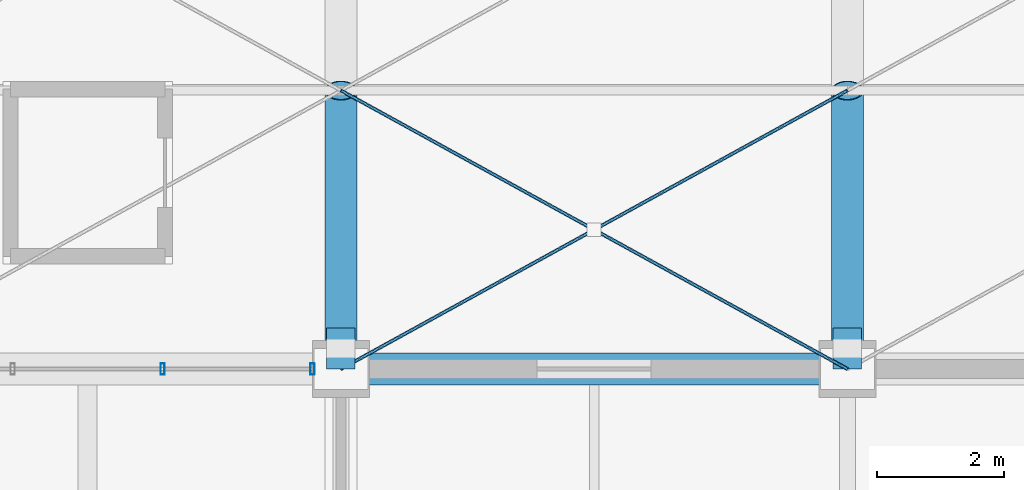
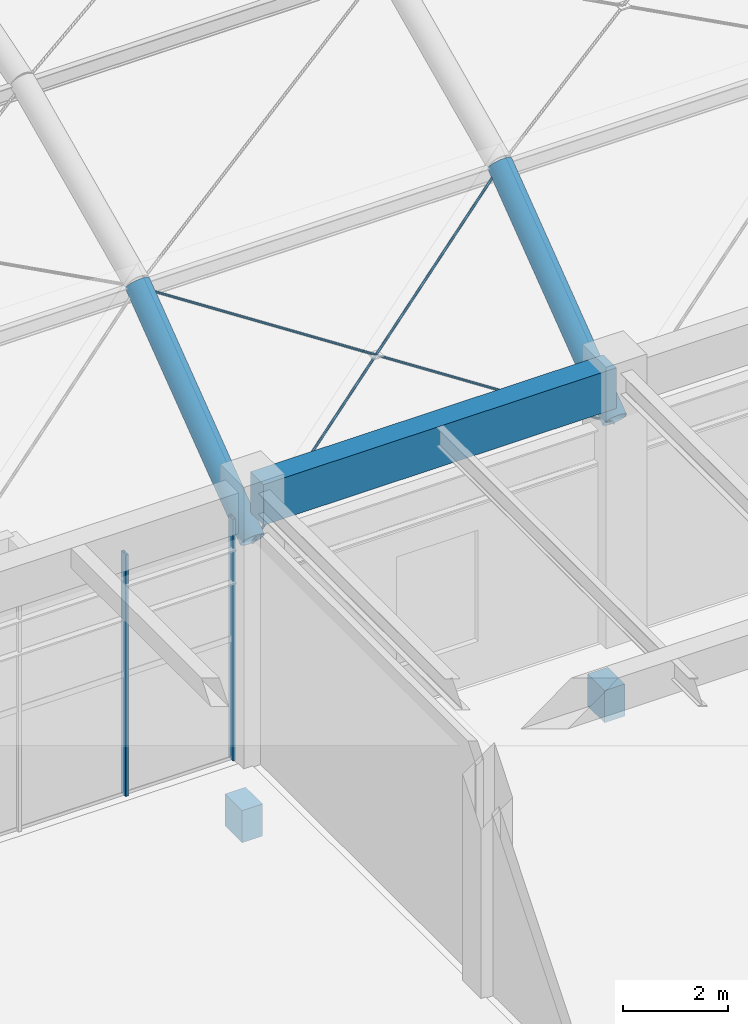
# One storey, part 42 of 163: 5 beams, 5 members, 1 element without a shape of its own.
"""IFC4 building model written with IfcOpenShell, lengths in metres."""

from ifc_helpers import new_model, si_unit, direction, frame, origin, origin_2d, place, context, subcontext, project, spatial, rectangle, hollow_rectangle, circle, hollow_circle, extrude, material, material_profile, profile_set, type_object, element, aggregate, save


model = new_model("IFC4")

# Units and contexts
model_context = context("Model", 3, precision=1e-05, world=origin(), true_north=direction((0.0, 1.0)))
body_context = subcontext(model_context, "Body", "Model", "MODEL_VIEW")
ifc_project = project(units=[si_unit("LENGTHUNIT", "METRE"), si_unit("AREAUNIT", "SQUARE_METRE"), si_unit("VOLUMEUNIT", "CUBIC_METRE"), si_unit("PLANEANGLEUNIT", "RADIAN"), si_unit("MASSUNIT", "GRAM", prefix="KILO")], contexts=[model_context])

# Site, building, storey
site_placement = place(None, origin())
site = spatial("IfcSite", under=ifc_project, at=site_placement, CompositionType="ELEMENT")
building_placement = place(site_placement, origin())
building = spatial("IfcBuilding", under=site, at=building_placement, Name="Varnabhumi Central Station", CompositionType="ELEMENT")
storey_placement = place(building_placement, frame((0.0, 0.0, 9.60009765625)))
storey = spatial("IfcBuildingStorey", under=building, at=storey_placement, Name="L02", CompositionType="ELEMENT", Elevation=9.60009765625)

# Beams
ifc_material_1 = material(Name="Structural steel E350", Category="steel")
ifc_material_profile_1 = material_profile(ifc_material_1, hollow_circle(Radius=0.25390625, WallThickness=0.02001953125, at=origin_2d()), Name="Structural steel E350", Category="steel")
ifc_profile_set_1 = profile_set([ifc_material_profile_1], Name="Structural steel E350")
beam_type_1 = type_object("IfcBeamType", Name="BM-ARCH-CHS508", PredefinedType="BEAM", material=ifc_profile_set_1)
for number, where, z_axis, x_axis, name in (
    (1, (88.0, 36.0, 4.949951171875), (0.0, 0.798178703242, 0.602420748058), (-1.0, 0.0, 0.0), "Departure Concourse Vault Arch Rib 3 Seg 1"),
    (2, (96.0, 36.0, 4.949951171875), (0.0, 0.798178703242, 0.602420748058), (-1.0, 0.0, 0.0), "Departure Concourse Vault Arch Rib 4 Seg 1"),
):
    element("IfcBeam", number, at=place(storey_placement, frame(where, z_axis=z_axis, x_axis=x_axis)), inside=storey, type_object=beam_type_1, Name=name, PredefinedType="BEAM", context=body_context, shape_type="SweptSolid", body=[
        extrude(hollow_circle(Radius=0.25390625, WallThickness=0.02001953125, at=origin_2d()), origin(), (0.0, 0.0, 1.0), 5.512451171875),
    ])
ifc_material_2 = material(Name="Concrete M40", Category="concrete")
ifc_material_profile_2 = material_profile(ifc_material_2, rectangle(XDim=0.449951171875, YDim=0.75, at=origin_2d()), Name="Concrete M40", Category="concrete")
ifc_profile_set_2 = profile_set([ifc_material_profile_2], Name="Concrete M40")
beam_type_2 = type_object("IfcBeamType", Name="BM-RC-450x750", PredefinedType="BEAM", material=ifc_profile_set_2)
for number, where, z_axis, x_axis, name in (
    (3, (88.0, 36.0, -1.675048828125), (0.0, 1.0, 0.0), (-1.0, 0.0, 0.0), "Concourse Bridge 650mm Corbel Seat 88-S"),
    (4, (96.0, 36.0, -1.675048828125), (0.0, 1.0, 0.0), (-1.0, 0.0, 0.0), "Concourse Bridge 650mm Corbel Seat 96-S"),
):
    element("IfcBeam", number, at=place(storey_placement, frame(where, z_axis=z_axis, x_axis=x_axis)), inside=storey, type_object=beam_type_2, Name=name, PredefinedType="BEAM", context=body_context, shape_type="SweptSolid", body=[
        extrude(rectangle(XDim=0.449951171875, YDim=0.75, at=origin_2d()), origin(), (0.0, 0.0, 1.0), 0.64990234375),
    ])
ifc_material_profile_3 = material_profile(ifc_material_2, rectangle(XDim=0.5, YDim=0.949951171875, at=origin_2d()), Name="Concrete M40", Category="concrete")
ifc_profile_set_3 = profile_set([ifc_material_profile_3], Name="Concrete M40")
beam_type_3 = type_object("IfcBeamType", Name="BM-RC-950x500", PredefinedType="BEAM", material=ifc_profile_set_3)
beam_placement = place(storey_placement, frame((88.10009765625, 36.0, 5.875), z_axis=(1.0, 0.0, 0.0), x_axis=(0.0, 1.0, 0.0)))
element("IfcBeam", 5, at=beam_placement, inside=storey, type_object=beam_type_3, Name="Beam L02-E:12-13", PredefinedType="BEAM", context=body_context, shape_type="SweptSolid", body=[
    extrude(rectangle(XDim=0.5, YDim=0.949951171875, at=origin_2d()), origin(), (0.0, 0.0, 1.0), 7.7998046875),
])

# Curtain wall, members
ifc_material_3 = material(Name="Anodised aluminium 6063-T6", Category="aluminium")
curtain_wall_type = type_object("IfcCurtainWallType", Name="CW-SPINE-SCREEN-L2", PredefinedType="NOTDEFINED", material=ifc_material_3)
curtain_wall_placement = place(storey_placement, origin())
curtain_wall = element("IfcCurtainWall", 6, at=curtain_wall_placement, inside=storey, type_object=curtain_wall_type, Name="Curtain Wall CW-SS206", PredefinedType="NOTDEFINED")
ifc_material_profile_4 = material_profile(ifc_material_3, hollow_rectangle(XDim=0.06494140625, YDim=0.179931640625, WallThickness=0.00390625, InnerFilletRadius=0.001953125, OuterFilletRadius=0.006103515625, at=origin_2d()), Name="Anodised aluminium 6063-T6", Category="aluminium")
ifc_profile_set_4 = profile_set([ifc_material_profile_4], Name="Anodised aluminium 6063-T6")
member_type_1 = type_object("IfcMemberType", Name="CW-MUL-180", PredefinedType="MULLION", material=ifc_profile_set_4)
member_1_placement = place(storey_placement, frame((85.183349609375, 36.0, 0.0), z_axis=(0.0, 0.0, 1.0), x_axis=(1.0, 0.0, 0.0)))
member_1 = element("IfcMember", 7, at=member_1_placement, type_object=member_type_1, Name="Curtain Wall Mullion CW-SS206-M3", PredefinedType="MULLION", context=body_context, shape_type="SweptSolid", body=[
    extrude(hollow_rectangle(XDim=0.06494140625, YDim=0.179931640625, WallThickness=0.00390625, InnerFilletRadius=0.001953125, OuterFilletRadius=0.006103515625, at=origin_2d()), origin(), (0.0, 0.0, 1.0), 5.639892578125),
])
member_2_placement = place(storey_placement, frame((87.550048828125, 36.0, 0.0), z_axis=(0.0, 0.0, 1.0), x_axis=(1.0, 0.0, 0.0)))
member_2 = element("IfcMember", 8, at=member_2_placement, type_object=member_type_1, Name="Curtain Wall Mullion CW-SS206-M4", PredefinedType="MULLION", context=body_context, shape_type="SweptSolid", body=[
    extrude(hollow_rectangle(XDim=0.06494140625, YDim=0.179931640625, WallThickness=0.00390625, InnerFilletRadius=0.001953125, OuterFilletRadius=0.006103515625, at=origin_2d()), origin(), (0.0, 0.0, 1.0), 5.639892578125),
])
aggregate(curtain_wall, [member_1, member_2])

# Members
ifc_material_4 = material(Name="Spiral-strand steel S1570", Category="steel")
ifc_material_profile_5 = material_profile(ifc_material_4, circle(Radius=0.027099609375, at=origin_2d()), Name="Spiral-strand steel S1570", Category="steel")
ifc_profile_set_5 = profile_set([ifc_material_profile_5], Name="Spiral-strand steel S1570")
member_type_2 = type_object("IfcMemberType", Name="MBR-CABLE-D54", PredefinedType="USERDEFINED", material=ifc_profile_set_5)
member_3_placement = place(storey_placement, frame((88.0, 36.0, 4.869873046875), z_axis=(0.823437214719, 0.452880416372, 0.341833997553), x_axis=(-0.481910537812, 0.876220425204, 0.0)))
element("IfcMember", 9, at=member_3_placement, inside=storey, type_object=member_type_2, Name="Departure Concourse Vault Cable-Net Tie B3-P1A", ObjectType="TENSION CABLE", PredefinedType="USERDEFINED", context=body_context, shape_type="SweptSolid", body=[
    extrude(circle(Radius=0.027099609375, at=origin_2d()), origin(), (0.0, 0.0, 1.0), 9.71533203125),
])
for number, where, z_axis, x_axis, name in (
    (10, (88.0, 40.39990234375, 8.19091796875), (0.823430141181, -0.452876526012, -0.341856190205), (0.481910537812, 0.876220425204, 0.0), "Departure Concourse Vault Cable-Net Split Tie B3-P1B1"),
    (11, (92.0, 38.199951171875, 6.5302734375), (0.823444287919, -0.452884306545, -0.34181180433), (0.481910537812, 0.876220425204, 0.0), "Departure Concourse Vault Cable-Net Split Tie B3-P1B2"),
):
    element("IfcMember", number, at=place(storey_placement, frame(where, z_axis=z_axis, x_axis=x_axis)), inside=storey, type_object=member_type_2, Name=name, ObjectType="TENSION CABLE", PredefinedType="USERDEFINED", context=body_context, shape_type="SweptSolid", body=[
        extrude(circle(Radius=0.027099609375, at=origin_2d()), origin(), (0.0, 0.0, 1.0), 4.857666015625),
    ])

save(model, "model.ifc")
